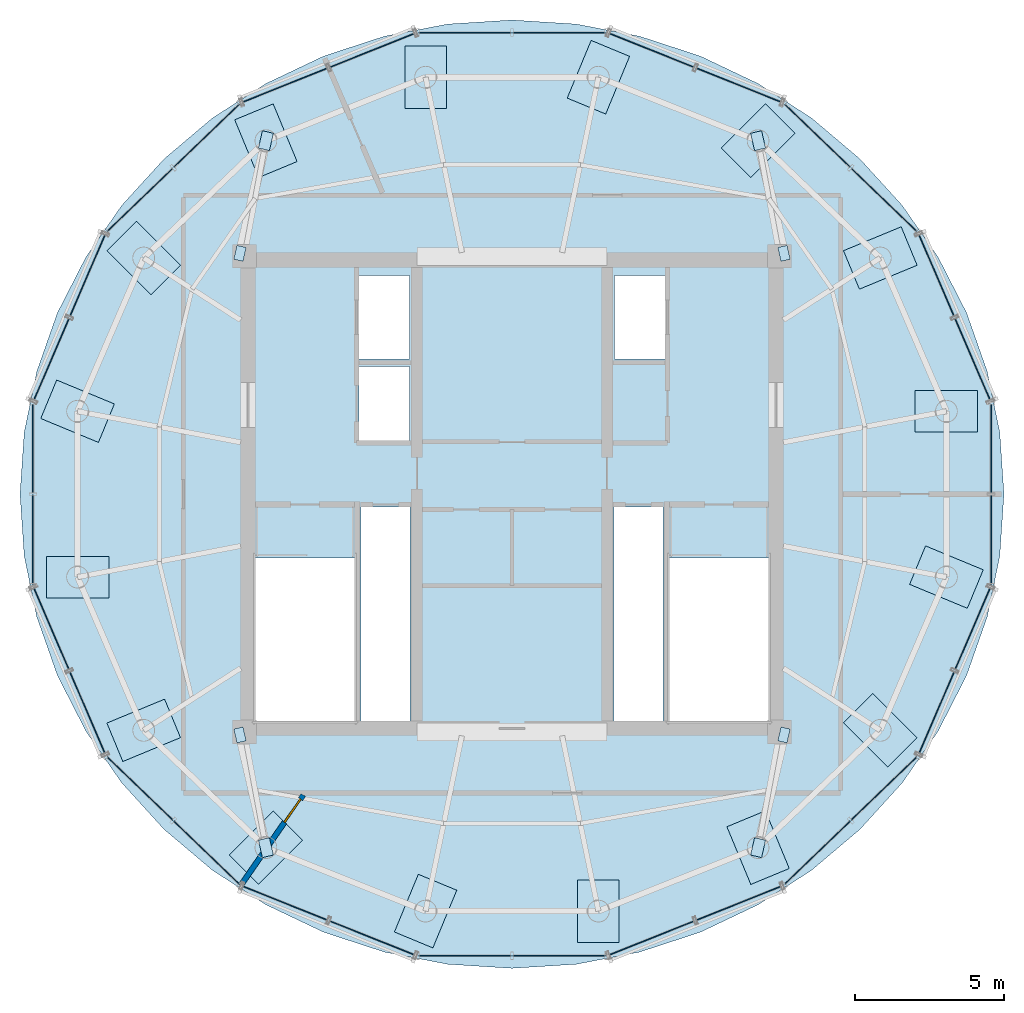
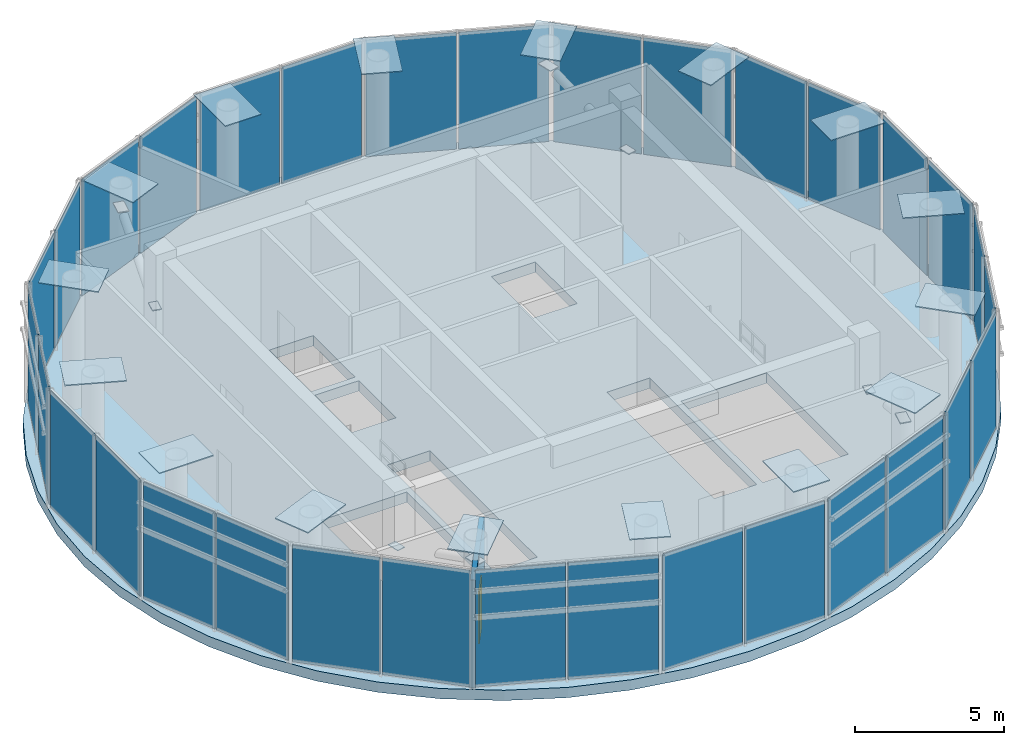
# One storey, part 10 of 13: 56 plates, 1 door, 1 slab, 1 wall, 1 opening, 16 elements without a shape of their own.
"""IFC4 building model written with IfcOpenShell, lengths in metres."""

from ifc_helpers import new_model, si_unit, direction, frame, frame_2d, origin, origin_2d, place, context, subcontext, project, spatial, polyline, rectangle, outline, extrude, source, transform, mapped, material, layer, layer_set, type_object, element, fill, aggregate, save


model = new_model("IFC4")

# Units and contexts
model_context = context("Model", 3, precision=1e-05, world=origin(), true_north=direction((-0.2419218956, 0.970295726276)))
body_context = subcontext(model_context, "Body", "Model", "MODEL_VIEW")
ifc_project = project(units=[si_unit("LENGTHUNIT", "METRE"), si_unit("AREAUNIT", "SQUARE_METRE"), si_unit("VOLUMEUNIT", "CUBIC_METRE"), si_unit("PLANEANGLEUNIT", "RADIAN"), si_unit("MASSUNIT", "GRAM", prefix="KILO")], contexts=[model_context])

# Site, building, storey
site_placement = place(None, origin())
site = spatial("IfcSite", under=ifc_project, at=site_placement, CompositionType="ELEMENT")
building_placement = place(site_placement, origin())
building = spatial("IfcBuilding", under=site, at=building_placement, Name="Cobrevalo Terracotta Tower", CompositionType="ELEMENT")
storey_placement = place(building_placement, frame((0.0, 0.0, 332.10009765625)))
storey = spatial("IfcBuildingStorey", under=building, at=storey_placement, Name="L85", CompositionType="ELEMENT", Elevation=332.10009765625)

# Slab
ifc_material_1 = material(Name="Concrete C50", Category="concrete")
ifc_layer_1 = layer(ifc_material_1, 0.419921875)
ifc_layer_set_1 = layer_set([ifc_layer_1], Name="Concrete C50")
slab_type = type_object("IfcSlabType", Name="Crown transfer mechanical deck 420 mm", PredefinedType="FLOOR", material=ifc_layer_set_1)
slab_placement = place(storey_placement, frame((0.0, 0.0, -0.420166015625)))
element("IfcSlab", 1, at=slab_placement, inside=storey, type_object=slab_type, Name="L85 indoor elliptical floor slab", PredefinedType="FLOOR", context=body_context, shape_type="SweptSolid", body=[
    extrude(outline(polyline([(54.408447265625, 24.718017578125), (53.986083984375, 22.671875), (53.290283203125, 20.6962890625), (52.332763671875, 18.824951171875), (51.1298828125, 17.09033203125), (49.70263671875, 15.521728515625), (48.074951171875, 14.14599609375), (46.27490234375, 12.98681640625), (44.33349609375, 12.064208984375), (42.283447265625, 11.3935546875), (40.16015625, 10.986328125), (38.0, 10.85009765625), (35.83984375, 10.986328125), (33.716552734375, 11.3935546875), (31.66650390625, 12.064208984375), (29.72509765625, 12.98681640625), (27.925048828125, 14.14599609375), (26.29736328125, 15.521728515625), (24.8701171875, 17.09033203125), (23.667236328125, 18.824951171875), (22.709716796875, 20.6962890625), (22.013916015625, 22.671875), (21.591552734375, 24.718017578125), (21.449951171875, 26.800048828125), (21.591552734375, 28.8818359375), (22.013916015625, 30.92822265625), (22.709716796875, 32.90380859375), (23.667236328125, 34.77490234375), (24.8701171875, 36.509765625), (26.29736328125, 38.078369140625), (27.925048828125, 39.4541015625), (29.72509765625, 40.613037109375), (31.66650390625, 41.535888671875), (33.716552734375, 42.20654296875), (35.83984375, 42.613525390625), (38.0, 42.75), (40.16015625, 42.613525390625), (42.283447265625, 42.20654296875), (44.33349609375, 41.535888671875), (46.27490234375, 40.613037109375), (48.074951171875, 39.4541015625), (49.70263671875, 38.078369140625), (51.1298828125, 36.509765625), (52.332763671875, 34.77490234375), (53.290283203125, 32.90380859375), (53.986083984375, 30.92822265625), (54.408447265625, 28.8818359375), (54.550048828125, 26.800048828125), (54.408447265625, 24.718017578125)]), holes=[polyline([(32.695068359375, 24.659912109375), (29.375, 24.659912109375), (29.375, 19.175048828125), (32.695068359375, 19.175048828125), (32.695068359375, 24.659912109375)]), polyline([(46.625, 19.175048828125), (46.625, 24.659912109375), (43.304931640625, 24.659912109375), (43.304931640625, 19.175048828125), (46.625, 19.175048828125)]), polyline([(34.574951171875, 26.360107421875), (32.919921875, 26.360107421875), (32.919921875, 19.175048828125), (34.574951171875, 19.175048828125), (34.574951171875, 26.360107421875)]), polyline([(43.080078125, 26.360107421875), (41.425048828125, 26.360107421875), (41.425048828125, 19.175048828125), (43.080078125, 19.175048828125), (43.080078125, 26.360107421875)]), polyline([(34.550048828125, 31.10009765625), (32.85009765625, 31.10009765625), (32.85009765625, 28.60009765625), (34.550048828125, 28.60009765625), (34.550048828125, 31.10009765625)]), polyline([(34.550048828125, 34.14990234375), (32.85009765625, 34.14990234375), (32.85009765625, 31.35009765625), (34.550048828125, 31.35009765625), (34.550048828125, 34.14990234375)]), polyline([(43.14990234375, 34.14990234375), (41.449951171875, 34.14990234375), (41.449951171875, 31.35009765625), (43.14990234375, 31.35009765625), (43.14990234375, 34.14990234375)])]), origin(), (0.0, 0.0, 1.0), 0.420166015625),
])

# Plates
ifc_material_2 = material(Name="Steel S355", Category="steel")
ifc_layer_2 = layer(ifc_material_2, 0.044921875)
ifc_layer_set_2 = layer_set([ifc_layer_2], Name="Steel S355")
plate_type_1 = type_object("IfcPlateType", Name="Structural Cap Plate 2100x1400x45 (Steel S355)", PredefinedType="USERDEFINED", material=ifc_layer_set_2)
shared_shape_1 = source(origin(), body_context, "Body", "SweptSolid", [
    extrude(rectangle(XDim=2.10009765625, YDim=1.39990234375, at=origin_2d()), origin(), (0.0, 0.0, 1.0), 0.044921875),
])
for number, where, z_axis, x_axis, name in (
    (2, (52.61376953125, 29.58984375, 5.177490234375), (0.0, 0.0, 1.0), (1.0, 0.0, 0.0), "L85 hollow end cap plate CAP-MCT-L85-01"),
    (3, (50.388916015625, 34.74462890625, 5.177490234375), (0.0, 0.0, 1.0), (0.923879532511, 0.382683432365, 0.0), "L85 hollow end cap plate CAP-MCT-L85-02"),
    (4, (46.278076171875, 38.68994140625, 5.177490234375), (0.0, 0.0, 1.0), (0.707106781187, 0.707106781187, 0.0), "L85 hollow end cap plate CAP-MCT-L85-03"),
    (5, (40.90673828125, 40.8251953125, 5.177490234375), (0.0, 0.0, 1.0), (0.382683432365, 0.923879532511, 0.0), "L85 hollow end cap plate CAP-MCT-L85-04"),
    (6, (35.09326171875, 40.8251953125, 5.177490234375), (0.0, 0.0, 1.0), (0.0, 1.0, 0.0), "L85 hollow end cap plate CAP-MCT-L85-05"),
    (7, (29.721923828125, 38.68994140625, 5.177490234375), (0.0, 0.0, 1.0), (-0.382683432365, 0.923879532511, 0.0), "L85 hollow end cap plate CAP-MCT-L85-06"),
    (8, (25.611083984375, 34.74462890625, 5.177490234375), (0.0, 0.0, 1.0), (-0.707106781187, 0.707106781187, 0.0), "L85 hollow end cap plate CAP-MCT-L85-07"),
    (9, (23.38623046875, 29.58984375, 5.177490234375), (0.0, 0.0, 1.0), (-0.923879532511, 0.382683432365, 0.0), "L85 hollow end cap plate CAP-MCT-L85-08"),
    (10, (23.38623046875, 24.01025390625, 5.177490234375), (0.0, 0.0, 1.0), (-1.0, 0.0, 0.0), "L85 hollow end cap plate CAP-MCT-L85-09"),
    (11, (25.611083984375, 18.855224609375, 5.177490234375), (0.0, 0.0, 1.0), (-0.923879532511, -0.382683432365, 0.0), "L85 hollow end cap plate CAP-MCT-L85-10"),
    (12, (29.721923828125, 14.909912109375, 5.177490234375), (0.0, 0.0, 1.0), (-0.707106781187, -0.707106781187, 0.0), "L85 hollow end cap plate CAP-MCT-L85-11"),
    (13, (35.09326171875, 12.774658203125, 5.177490234375), (0.0, 0.0, 1.0), (-0.382683432365, -0.923879532511, 0.0), "L85 hollow end cap plate CAP-MCT-L85-12"),
    (14, (40.90673828125, 12.774658203125, 5.177490234375), (0.0, 0.0, 1.0), (0.0, -1.0, 0.0), "L85 hollow end cap plate CAP-MCT-L85-13"),
    (15, (46.278076171875, 14.909912109375, 5.177490234375), (0.0, 0.0, 1.0), (0.382683432365, -0.923879532511, 0.0), "L85 hollow end cap plate CAP-MCT-L85-14"),
    (16, (50.388916015625, 18.855224609375, 5.177490234375), (0.0, 0.0, 1.0), (0.707106781187, -0.707106781187, 0.0), "L85 hollow end cap plate CAP-MCT-L85-15"),
    (17, (52.61376953125, 24.01025390625, 5.177490234375), (0.0, 0.0, 1.0), (0.923879532511, -0.382683432365, 0.0), "L85 hollow end cap plate CAP-MCT-L85-16"),
):
    element("IfcPlate", number, at=place(storey_placement, frame(where, z_axis=z_axis, x_axis=x_axis)), inside=storey, type_object=plate_type_1, Name=name, ObjectType="CAP PLATE", PredefinedType="USERDEFINED", context=body_context, shape_type="MappedRepresentation", body=[
        mapped(shared_shape_1, transform((0.0, 0.0, 0.0), scale=1.0)),
    ])
ifc_layer_3 = layer(ifc_material_2, 0.02490234375)
ifc_layer_set_3 = layer_set([ifc_layer_3], Name="Steel S355")
plate_type_2 = type_object("IfcPlateType", Name="Structural Cap Plate 480x320x25 (Steel S355)", PredefinedType="USERDEFINED", material=ifc_layer_set_3)
shared_shape_2 = source(origin(), body_context, "Body", "SweptSolid", [
    extrude(rectangle(XDim=0.47998046875, YDim=0.320068359375, at=origin_2d()), origin(), (0.0, 0.0, 1.0), 0.02490234375),
])
for number, where, z_axis, x_axis, name in (
    (18, (47.14990234375, 34.89990234375, 2.737548828125), (0.0, 0.0, 1.0), (-0.224221435425, 0.974538222902, 0.0), "L85 hollow end cap plate CAP-CRN0-L85-01"),
    (19, (28.85009765625, 34.89990234375, 2.737548828125), (0.0, 0.0, 1.0), (0.224221435425, 0.974538222902, 0.0), "L85 hollow end cap plate CAP-CRN0-L85-02"),
    (20, (28.85009765625, 18.699951171875, 2.737548828125), (0.0, 0.0, 1.0), (0.224221435425, -0.974538222902, 0.0), "L85 hollow end cap plate CAP-CRN0-L85-03"),
    (21, (47.14990234375, 18.699951171875, 2.737548828125), (0.0, 0.0, 1.0), (-0.224221435425, -0.974538222902, 0.0), "L85 hollow end cap plate CAP-CRN0-L85-04"),
):
    element("IfcPlate", number, at=place(storey_placement, frame(where, z_axis=z_axis, x_axis=x_axis)), inside=storey, type_object=plate_type_2, Name=name, ObjectType="CAP PLATE", PredefinedType="USERDEFINED", context=body_context, shape_type="MappedRepresentation", body=[
        mapped(shared_shape_2, transform((0.0, 0.0, 0.0), scale=1.0)),
    ])
ifc_layer_4 = layer(ifc_material_2, 0.028076171875)
ifc_layer_set_4 = layer_set([ifc_layer_4], Name="Steel S355")
plate_type_3 = type_object("IfcPlateType", Name="Structural Gusset Plate 600x380x28 (Steel S355)", PredefinedType="SHEET", material=ifc_layer_set_4)
shared_shape_3 = source(origin(), body_context, "Body", "SweptSolid", [
    extrude(rectangle(XDim=0.60009765625, YDim=0.3798828125, at=origin_2d()), origin(), (0.0, 0.0, 1.0), 0.028076171875),
])
for number, where, z_axis, x_axis, name in (
    (22, (46.278076171875, 38.68994140625, 4.18603515625), (0.0, 0.0, 1.0), (-0.224221435425, 0.974538222902, 0.0), "L85 hollow end cap plate GUS-CRN1-L85-01"),
    (23, (29.721923828125, 38.68994140625, 4.18603515625), (0.0, 0.0, 1.0), (0.224221435425, 0.974538222902, 0.0), "L85 hollow end cap plate GUS-CRN1-L85-02"),
    (24, (29.721923828125, 14.909912109375, 4.18603515625), (0.0, 0.0, 1.0), (0.224221435425, -0.974538222902, 0.0), "L85 hollow end cap plate GUS-CRN1-L85-03"),
    (25, (46.278076171875, 14.909912109375, 4.18603515625), (0.0, 0.0, 1.0), (-0.224221435425, -0.974538222902, 0.0), "L85 hollow end cap plate GUS-CRN1-L85-04"),
):
    element("IfcPlate", number, at=place(storey_placement, frame(where, z_axis=z_axis, x_axis=x_axis)), inside=storey, type_object=plate_type_3, Name=name, PredefinedType="SHEET", context=body_context, shape_type="MappedRepresentation", body=[
        mapped(shared_shape_3, transform((0.0, 0.0, 0.0), scale=1.0)),
    ])

# Curtain wall, plates
ifc_material_3 = material(Name="Anodized aluminium", Category="aluminium")
curtain_wall_type = type_object("IfcCurtainWallType", Name="Faceted glass-point crown structural glazing system CW-CR", PredefinedType="NOTDEFINED", material=ifc_material_3)
curtain_wall_1_placement = place(storey_placement, origin())
curtain_wall_1 = element("IfcCurtainWall", 26, at=curtain_wall_1_placement, inside=storey, type_object=curtain_wall_type, Name="L85 curtain wall CW-CRN-L85-S01", PredefinedType="NOTDEFINED")
ifc_material_4 = material(Name="Structural laminated low-iron crown glass", Category="glass")
ifc_layer_5 = layer(ifc_material_4, 0.035888671875)
ifc_layer_set_5 = layer_set([ifc_layer_5], Name="Structural laminated low-iron crown glass")
plate_type_4 = type_object("IfcPlateType", Name="Crown faceted low-iron laminated glass panel 36 mm", PredefinedType="CURTAIN_PANEL", material=ifc_layer_set_5)
shared_shape_4 = source(origin(), body_context, "Body", "SweptSolid", [
    extrude(rectangle(XDim=2.985595703125, YDim=0.035888671875, at=origin_2d()), origin(), (0.0, 0.0, 1.0), 4.77001953125),
])
plate_1_placement = place(storey_placement, frame((53.4931640625, 31.333251953125, 0.039794921875), z_axis=(0.0, 0.0, 1.0), x_axis=(-0.394960330504, 0.918698175316, 0.0)))
plate_1 = element("IfcPlate", 27, at=plate_1_placement, type_object=plate_type_4, Name="CW-CRN-L85-S01 glazing panel B01", PredefinedType="CURTAIN_PANEL", context=body_context, shape_type="MappedRepresentation", body=[
    mapped(shared_shape_4, transform((0.0, 0.0, 0.0), scale=1.0)),
])
plate_2_placement = place(storey_placement, frame((52.2822265625, 34.149658203125, 0.039794921875), z_axis=(0.0, 0.0, 1.0), x_axis=(-0.394960330504, 0.918698175316, 0.0)))
plate_2 = element("IfcPlate", 28, at=plate_2_placement, type_object=plate_type_4, Name="CW-CRN-L85-S01 glazing panel B02", PredefinedType="CURTAIN_PANEL", context=body_context, shape_type="MappedRepresentation", body=[
    mapped(shared_shape_4, transform((0.0, 0.0, 0.0), scale=1.0)),
])
aggregate(curtain_wall_1, [plate_1, plate_2])

curtain_wall_2_placement = place(storey_placement, origin())
curtain_wall_2 = element("IfcCurtainWall", 29, at=curtain_wall_2_placement, inside=storey, type_object=curtain_wall_type, Name="L85 curtain wall CW-CRN-L85-S07", PredefinedType="NOTDEFINED")
plate_3_placement = place(storey_placement, frame((23.7177734375, 34.149658203125, 0.039794921875), z_axis=(0.0, 0.0, 1.0), x_axis=(-0.394960330504, -0.918698175316, 0.0)))
plate_3 = element("IfcPlate", 30, at=plate_3_placement, type_object=plate_type_4, Name="CW-CRN-L85-S07 glazing panel B01", PredefinedType="CURTAIN_PANEL", context=body_context, shape_type="MappedRepresentation", body=[
    mapped(shared_shape_4, transform((0.0, 0.0, 0.0), scale=1.0)),
])
plate_4_placement = place(storey_placement, frame((22.5068359375, 31.333251953125, 0.039794921875), z_axis=(0.0, 0.0, 1.0), x_axis=(-0.394960330504, -0.918698175316, 0.0)))
plate_4 = element("IfcPlate", 31, at=plate_4_placement, type_object=plate_type_4, Name="CW-CRN-L85-S07 glazing panel B02", PredefinedType="CURTAIN_PANEL", context=body_context, shape_type="MappedRepresentation", body=[
    mapped(shared_shape_4, transform((0.0, 0.0, 0.0), scale=1.0)),
])
aggregate(curtain_wall_2, [plate_3, plate_4])

curtain_wall_3_placement = place(storey_placement, origin())
curtain_wall_3 = element("IfcCurtainWall", 32, at=curtain_wall_3_placement, inside=storey, type_object=curtain_wall_type, Name="L85 curtain wall CW-CRN-L85-S09", PredefinedType="NOTDEFINED")
plate_5_placement = place(storey_placement, frame((22.5068359375, 22.266845703125, 0.039794921875), z_axis=(0.0, 0.0, 1.0), x_axis=(0.394960330504, -0.918698175316, 0.0)))
plate_5 = element("IfcPlate", 33, at=plate_5_placement, type_object=plate_type_4, Name="CW-CRN-L85-S09 glazing panel B01", PredefinedType="CURTAIN_PANEL", context=body_context, shape_type="MappedRepresentation", body=[
    mapped(shared_shape_4, transform((0.0, 0.0, 0.0), scale=1.0)),
])
plate_6_placement = place(storey_placement, frame((23.7177734375, 19.4501953125, 0.039794921875), z_axis=(0.0, 0.0, 1.0), x_axis=(0.394960330504, -0.918698175316, 0.0)))
plate_6 = element("IfcPlate", 34, at=plate_6_placement, type_object=plate_type_4, Name="CW-CRN-L85-S09 glazing panel B02", PredefinedType="CURTAIN_PANEL", context=body_context, shape_type="MappedRepresentation", body=[
    mapped(shared_shape_4, transform((0.0, 0.0, 0.0), scale=1.0)),
])
aggregate(curtain_wall_3, [plate_5, plate_6])

curtain_wall_4_placement = place(storey_placement, origin())
curtain_wall_4 = element("IfcCurtainWall", 35, at=curtain_wall_4_placement, inside=storey, type_object=curtain_wall_type, Name="L85 curtain wall CW-CRN-L85-S15", PredefinedType="NOTDEFINED")
plate_7_placement = place(storey_placement, frame((52.2822265625, 19.4501953125, 0.039794921875), z_axis=(0.0, 0.0, 1.0), x_axis=(0.394960330504, 0.918698175316, 0.0)))
plate_7 = element("IfcPlate", 36, at=plate_7_placement, type_object=plate_type_4, Name="CW-CRN-L85-S15 glazing panel B01", PredefinedType="CURTAIN_PANEL", context=body_context, shape_type="MappedRepresentation", body=[
    mapped(shared_shape_4, transform((0.0, 0.0, 0.0), scale=1.0)),
])
plate_8_placement = place(storey_placement, frame((53.4931640625, 22.266845703125, 0.039794921875), z_axis=(0.0, 0.0, 1.0), x_axis=(0.394960330504, 0.918698175316, 0.0)))
plate_8 = element("IfcPlate", 37, at=plate_8_placement, type_object=plate_type_4, Name="CW-CRN-L85-S15 glazing panel B02", PredefinedType="CURTAIN_PANEL", context=body_context, shape_type="MappedRepresentation", body=[
    mapped(shared_shape_4, transform((0.0, 0.0, 0.0), scale=1.0)),
])
aggregate(curtain_wall_4, [plate_7, plate_8])

curtain_wall_5_placement = place(storey_placement, origin())
curtain_wall_5 = element("IfcCurtainWall", 38, at=curtain_wall_5_placement, inside=storey, type_object=curtain_wall_type, Name="L85 curtain wall CW-CRN-L85-S02", PredefinedType="NOTDEFINED")
shared_shape_5 = source(origin(), body_context, "Body", "SweptSolid", [
    extrude(rectangle(XDim=3.02734375, YDim=0.035888671875, at=origin_2d()), origin(), (0.0, 0.0, 1.0), 4.77001953125),
])
plate_9_placement = place(storey_placement, frame((50.513427734375, 36.700439453125, 0.039794921875), z_axis=(0.0, 0.0, 1.0), x_axis=(-0.72013345708, 0.693835574178, 0.0)))
plate_9 = element("IfcPlate", 39, at=plate_9_placement, type_object=plate_type_4, Name="CW-CRN-L85-S02 glazing panel B01", PredefinedType="CURTAIN_PANEL", context=body_context, shape_type="MappedRepresentation", body=[
    mapped(shared_shape_5, transform((0.0, 0.0, 0.0), scale=1.0)),
])
plate_10_placement = place(storey_placement, frame((48.275634765625, 38.8564453125, 0.039794921875), z_axis=(0.0, 0.0, 1.0), x_axis=(-0.72013345708, 0.693835574178, 0.0)))
plate_10 = element("IfcPlate", 40, at=plate_10_placement, type_object=plate_type_4, Name="CW-CRN-L85-S02 glazing panel B02", PredefinedType="CURTAIN_PANEL", context=body_context, shape_type="MappedRepresentation", body=[
    mapped(shared_shape_5, transform((0.0, 0.0, 0.0), scale=1.0)),
])
aggregate(curtain_wall_5, [plate_9, plate_10])

curtain_wall_6_placement = place(storey_placement, origin())
curtain_wall_6 = element("IfcCurtainWall", 41, at=curtain_wall_6_placement, inside=storey, type_object=curtain_wall_type, Name="L85 curtain wall CW-CRN-L85-S06", PredefinedType="NOTDEFINED")
plate_11_placement = place(storey_placement, frame((27.724365234375, 38.8564453125, 0.039794921875), z_axis=(0.0, 0.0, 1.0), x_axis=(-0.72013345708, -0.693835574178, 0.0)))
plate_11 = element("IfcPlate", 42, at=plate_11_placement, type_object=plate_type_4, Name="CW-CRN-L85-S06 glazing panel B01", PredefinedType="CURTAIN_PANEL", context=body_context, shape_type="MappedRepresentation", body=[
    mapped(shared_shape_5, transform((0.0, 0.0, 0.0), scale=1.0)),
])
plate_12_placement = place(storey_placement, frame((25.486572265625, 36.700439453125, 0.039794921875), z_axis=(0.0, 0.0, 1.0), x_axis=(-0.72013345708, -0.693835574178, 0.0)))
plate_12 = element("IfcPlate", 43, at=plate_12_placement, type_object=plate_type_4, Name="CW-CRN-L85-S06 glazing panel B02", PredefinedType="CURTAIN_PANEL", context=body_context, shape_type="MappedRepresentation", body=[
    mapped(shared_shape_5, transform((0.0, 0.0, 0.0), scale=1.0)),
])
aggregate(curtain_wall_6, [plate_11, plate_12])

curtain_wall_7_placement = place(storey_placement, origin())
curtain_wall_7 = element("IfcCurtainWall", 44, at=curtain_wall_7_placement, inside=storey, type_object=curtain_wall_type, Name="L85 curtain wall CW-CRN-L85-S10", PredefinedType="NOTDEFINED")
plate_13_placement = place(storey_placement, frame((25.486572265625, 16.899658203125, 0.039794921875), z_axis=(0.0, 0.0, 1.0), x_axis=(0.72013345708, -0.693835574178, 0.0)))
plate_13 = element("IfcPlate", 45, at=plate_13_placement, type_object=plate_type_4, Name="CW-CRN-L85-S10 glazing panel B01", PredefinedType="CURTAIN_PANEL", context=body_context, shape_type="MappedRepresentation", body=[
    mapped(shared_shape_5, transform((0.0, 0.0, 0.0), scale=1.0)),
])
plate_14_placement = place(storey_placement, frame((27.724365234375, 14.74365234375, 0.039794921875), z_axis=(0.0, 0.0, 1.0), x_axis=(0.72013345708, -0.693835574178, 0.0)))
plate_14 = element("IfcPlate", 46, at=plate_14_placement, type_object=plate_type_4, Name="CW-CRN-L85-S10 glazing panel B02", PredefinedType="CURTAIN_PANEL", context=body_context, shape_type="MappedRepresentation", body=[
    mapped(shared_shape_5, transform((0.0, 0.0, 0.0), scale=1.0)),
])
aggregate(curtain_wall_7, [plate_13, plate_14])

curtain_wall_8_placement = place(storey_placement, origin())
curtain_wall_8 = element("IfcCurtainWall", 47, at=curtain_wall_8_placement, inside=storey, type_object=curtain_wall_type, Name="L85 curtain wall CW-CRN-L85-S14", PredefinedType="NOTDEFINED")
plate_15_placement = place(storey_placement, frame((48.275634765625, 14.74365234375, 0.039794921875), z_axis=(0.0, 0.0, 1.0), x_axis=(0.72013345708, 0.693835574178, 0.0)))
plate_15 = element("IfcPlate", 48, at=plate_15_placement, type_object=plate_type_4, Name="CW-CRN-L85-S14 glazing panel B01", PredefinedType="CURTAIN_PANEL", context=body_context, shape_type="MappedRepresentation", body=[
    mapped(shared_shape_5, transform((0.0, 0.0, 0.0), scale=1.0)),
])
plate_16_placement = place(storey_placement, frame((50.513427734375, 16.899658203125, 0.039794921875), z_axis=(0.0, 0.0, 1.0), x_axis=(0.72013345708, 0.693835574178, 0.0)))
plate_16 = element("IfcPlate", 49, at=plate_16_placement, type_object=plate_type_4, Name="CW-CRN-L85-S14 glazing panel B02", PredefinedType="CURTAIN_PANEL", context=body_context, shape_type="MappedRepresentation", body=[
    mapped(shared_shape_5, transform((0.0, 0.0, 0.0), scale=1.0)),
])
aggregate(curtain_wall_8, [plate_15, plate_16])

curtain_wall_9_placement = place(storey_placement, origin())
curtain_wall_9 = element("IfcCurtainWall", 50, at=curtain_wall_9_placement, inside=storey, type_object=curtain_wall_type, Name="L85 curtain wall CW-CRN-L85-S03", PredefinedType="NOTDEFINED")
shared_shape_6 = source(origin(), body_context, "Body", "SweptSolid", [
    extrude(rectangle(XDim=3.068603515625, YDim=0.035888671875, at=origin_2d()), origin(), (0.0, 0.0, 1.0), 4.77001953125),
])
plate_17_placement = place(storey_placement, frame((45.628662109375, 40.560546875, 0.039794921875), z_axis=(0.0, 0.0, 1.0), x_axis=(-0.928768802339, 0.370659563214, 0.0)))
plate_17 = element("IfcPlate", 51, at=plate_17_placement, type_object=plate_type_4, Name="CW-CRN-L85-S03 glazing panel B01", PredefinedType="CURTAIN_PANEL", context=body_context, shape_type="MappedRepresentation", body=[
    mapped(shared_shape_6, transform((0.0, 0.0, 0.0), scale=1.0)),
])
plate_18_placement = place(storey_placement, frame((42.70458984375, 41.7275390625, 0.039794921875), z_axis=(0.0, 0.0, 1.0), x_axis=(-0.928768802339, 0.370659563214, 0.0)))
plate_18 = element("IfcPlate", 52, at=plate_18_placement, type_object=plate_type_4, Name="CW-CRN-L85-S03 glazing panel B02", PredefinedType="CURTAIN_PANEL", context=body_context, shape_type="MappedRepresentation", body=[
    mapped(shared_shape_6, transform((0.0, 0.0, 0.0), scale=1.0)),
])
aggregate(curtain_wall_9, [plate_17, plate_18])

curtain_wall_10_placement = place(storey_placement, origin())
curtain_wall_10 = element("IfcCurtainWall", 53, at=curtain_wall_10_placement, inside=storey, type_object=curtain_wall_type, Name="L85 curtain wall CW-CRN-L85-S05", PredefinedType="NOTDEFINED")
plate_19_placement = place(storey_placement, frame((33.29541015625, 41.7275390625, 0.039794921875), z_axis=(0.0, 0.0, 1.0), x_axis=(-0.928768802339, -0.370659563214, 0.0)))
plate_19 = element("IfcPlate", 54, at=plate_19_placement, type_object=plate_type_4, Name="CW-CRN-L85-S05 glazing panel B01", PredefinedType="CURTAIN_PANEL", context=body_context, shape_type="MappedRepresentation", body=[
    mapped(shared_shape_6, transform((0.0, 0.0, 0.0), scale=1.0)),
])
plate_20_placement = place(storey_placement, frame((30.371337890625, 40.560546875, 0.039794921875), z_axis=(0.0, 0.0, 1.0), x_axis=(-0.928768802339, -0.370659563214, 0.0)))
plate_20 = element("IfcPlate", 55, at=plate_20_placement, type_object=plate_type_4, Name="CW-CRN-L85-S05 glazing panel B02", PredefinedType="CURTAIN_PANEL", context=body_context, shape_type="MappedRepresentation", body=[
    mapped(shared_shape_6, transform((0.0, 0.0, 0.0), scale=1.0)),
])
aggregate(curtain_wall_10, [plate_19, plate_20])

curtain_wall_11_placement = place(storey_placement, origin())
curtain_wall_11 = element("IfcCurtainWall", 56, at=curtain_wall_11_placement, inside=storey, type_object=curtain_wall_type, Name="L85 curtain wall CW-CRN-L85-S11", PredefinedType="NOTDEFINED")
plate_21_placement = place(storey_placement, frame((30.371337890625, 13.03955078125, 0.039794921875), z_axis=(0.0, 0.0, 1.0), x_axis=(0.928768802339, -0.370659563214, 0.0)))
plate_21 = element("IfcPlate", 57, at=plate_21_placement, type_object=plate_type_4, Name="CW-CRN-L85-S11 glazing panel B01", PredefinedType="CURTAIN_PANEL", context=body_context, shape_type="MappedRepresentation", body=[
    mapped(shared_shape_6, transform((0.0, 0.0, 0.0), scale=1.0)),
])
plate_22_placement = place(storey_placement, frame((33.29541015625, 11.87255859375, 0.039794921875), z_axis=(0.0, 0.0, 1.0), x_axis=(0.928768802339, -0.370659563214, 0.0)))
plate_22 = element("IfcPlate", 58, at=plate_22_placement, type_object=plate_type_4, Name="CW-CRN-L85-S11 glazing panel B02", PredefinedType="CURTAIN_PANEL", context=body_context, shape_type="MappedRepresentation", body=[
    mapped(shared_shape_6, transform((0.0, 0.0, 0.0), scale=1.0)),
])
aggregate(curtain_wall_11, [plate_21, plate_22])

curtain_wall_12_placement = place(storey_placement, origin())
curtain_wall_12 = element("IfcCurtainWall", 59, at=curtain_wall_12_placement, inside=storey, type_object=curtain_wall_type, Name="L85 curtain wall CW-CRN-L85-S13", PredefinedType="NOTDEFINED")
plate_23_placement = place(storey_placement, frame((42.70458984375, 11.87255859375, 0.039794921875), z_axis=(0.0, 0.0, 1.0), x_axis=(0.928768802339, 0.370659563214, 0.0)))
plate_23 = element("IfcPlate", 60, at=plate_23_placement, type_object=plate_type_4, Name="CW-CRN-L85-S13 glazing panel B01", PredefinedType="CURTAIN_PANEL", context=body_context, shape_type="MappedRepresentation", body=[
    mapped(shared_shape_6, transform((0.0, 0.0, 0.0), scale=1.0)),
])
plate_24_placement = place(storey_placement, frame((45.628662109375, 13.03955078125, 0.039794921875), z_axis=(0.0, 0.0, 1.0), x_axis=(0.928768802339, 0.370659563214, 0.0)))
plate_24 = element("IfcPlate", 61, at=plate_24_placement, type_object=plate_type_4, Name="CW-CRN-L85-S13 glazing panel B02", PredefinedType="CURTAIN_PANEL", context=body_context, shape_type="MappedRepresentation", body=[
    mapped(shared_shape_6, transform((0.0, 0.0, 0.0), scale=1.0)),
])
aggregate(curtain_wall_12, [plate_23, plate_24])

curtain_wall_13_placement = place(storey_placement, origin())
curtain_wall_13 = element("IfcCurtainWall", 62, at=curtain_wall_13_placement, inside=storey, type_object=curtain_wall_type, Name="L85 curtain wall CW-CRN-L85-S04", PredefinedType="NOTDEFINED")
shared_shape_7 = source(origin(), body_context, "Body", "SweptSolid", [
    extrude(rectangle(XDim=3.085205078125, YDim=0.035888671875, at=origin_2d()), origin(), (0.0, 0.0, 1.0), 4.77001953125),
])
plate_25_placement = place(storey_placement, frame((39.582763671875, 42.325927734375, 0.039794921875), z_axis=(0.0, 0.0, 1.0), x_axis=(-1.0, 0.0, 0.0)))
plate_25 = element("IfcPlate", 63, at=plate_25_placement, type_object=plate_type_4, Name="CW-CRN-L85-S04 glazing panel B01", PredefinedType="CURTAIN_PANEL", context=body_context, shape_type="MappedRepresentation", body=[
    mapped(shared_shape_7, transform((0.0, 0.0, 0.0), scale=1.0)),
])
plate_26_placement = place(storey_placement, frame((36.417236328125, 42.325927734375, 0.039794921875), z_axis=(0.0, 0.0, 1.0), x_axis=(-1.0, 0.0, 0.0)))
plate_26 = element("IfcPlate", 64, at=plate_26_placement, type_object=plate_type_4, Name="CW-CRN-L85-S04 glazing panel B02", PredefinedType="CURTAIN_PANEL", context=body_context, shape_type="MappedRepresentation", body=[
    mapped(shared_shape_7, transform((0.0, 0.0, 0.0), scale=1.0)),
])
aggregate(curtain_wall_13, [plate_25, plate_26])

curtain_wall_14_placement = place(storey_placement, origin())
curtain_wall_14 = element("IfcCurtainWall", 65, at=curtain_wall_14_placement, inside=storey, type_object=curtain_wall_type, Name="L85 curtain wall CW-CRN-L85-S12", PredefinedType="NOTDEFINED")
plate_27_placement = place(storey_placement, frame((36.417236328125, 11.274169921875, 0.039794921875), z_axis=(0.0, 0.0, 1.0), x_axis=(1.0, 0.0, 0.0)))
plate_27 = element("IfcPlate", 66, at=plate_27_placement, type_object=plate_type_4, Name="CW-CRN-L85-S12 glazing panel B01", PredefinedType="CURTAIN_PANEL", context=body_context, shape_type="MappedRepresentation", body=[
    mapped(shared_shape_7, transform((0.0, 0.0, 0.0), scale=1.0)),
])
plate_28_placement = place(storey_placement, frame((39.582763671875, 11.274169921875, 0.039794921875), z_axis=(0.0, 0.0, 1.0), x_axis=(1.0, 0.0, 0.0)))
plate_28 = element("IfcPlate", 67, at=plate_28_placement, type_object=plate_type_4, Name="CW-CRN-L85-S12 glazing panel B02", PredefinedType="CURTAIN_PANEL", context=body_context, shape_type="MappedRepresentation", body=[
    mapped(shared_shape_7, transform((0.0, 0.0, 0.0), scale=1.0)),
])
aggregate(curtain_wall_14, [plate_27, plate_28])

curtain_wall_15_placement = place(storey_placement, origin())
curtain_wall_15 = element("IfcCurtainWall", 68, at=curtain_wall_15_placement, inside=storey, type_object=curtain_wall_type, Name="L85 curtain wall CW-CRN-L85-S08", PredefinedType="NOTDEFINED")
shared_shape_8 = source(origin(), body_context, "Body", "SweptSolid", [
    extrude(rectangle(XDim=2.96826171875, YDim=0.035888671875, at=origin_2d()), origin(), (0.0, 0.0, 1.0), 4.77001953125),
])
plate_29_placement = place(storey_placement, frame((21.8857421875, 28.32421875, 0.039794921875), z_axis=(0.0, 0.0, 1.0), x_axis=(0.0, -1.0, 0.0)))
plate_29 = element("IfcPlate", 69, at=plate_29_placement, type_object=plate_type_4, Name="CW-CRN-L85-S08 glazing panel B01", PredefinedType="CURTAIN_PANEL", context=body_context, shape_type="MappedRepresentation", body=[
    mapped(shared_shape_8, transform((0.0, 0.0, 0.0), scale=1.0)),
])
plate_30_placement = place(storey_placement, frame((21.8857421875, 25.27587890625, 0.039794921875), z_axis=(0.0, 0.0, 1.0), x_axis=(0.0, -1.0, 0.0)))
plate_30 = element("IfcPlate", 70, at=plate_30_placement, type_object=plate_type_4, Name="CW-CRN-L85-S08 glazing panel B02", PredefinedType="CURTAIN_PANEL", context=body_context, shape_type="MappedRepresentation", body=[
    mapped(shared_shape_8, transform((0.0, 0.0, 0.0), scale=1.0)),
])
aggregate(curtain_wall_15, [plate_29, plate_30])

curtain_wall_16_placement = place(storey_placement, origin())
curtain_wall_16 = element("IfcCurtainWall", 71, at=curtain_wall_16_placement, inside=storey, type_object=curtain_wall_type, Name="L85 curtain wall CW-CRN-L85-S16", PredefinedType="NOTDEFINED")
plate_31_placement = place(storey_placement, frame((54.1142578125, 25.27587890625, 0.039794921875), z_axis=(0.0, 0.0, 1.0), x_axis=(0.0, 1.0, 0.0)))
plate_31 = element("IfcPlate", 72, at=plate_31_placement, type_object=plate_type_4, Name="CW-CRN-L85-S16 glazing panel B01", PredefinedType="CURTAIN_PANEL", context=body_context, shape_type="MappedRepresentation", body=[
    mapped(shared_shape_8, transform((0.0, 0.0, 0.0), scale=1.0)),
])
plate_32_placement = place(storey_placement, frame((54.1142578125, 28.32421875, 0.039794921875), z_axis=(0.0, 0.0, 1.0), x_axis=(0.0, 1.0, 0.0)))
plate_32 = element("IfcPlate", 73, at=plate_32_placement, type_object=plate_type_4, Name="CW-CRN-L85-S16 glazing panel B02", PredefinedType="CURTAIN_PANEL", context=body_context, shape_type="MappedRepresentation", body=[
    mapped(shared_shape_8, transform((0.0, 0.0, 0.0), scale=1.0)),
])
aggregate(curtain_wall_16, [plate_31, plate_32])

# Wall, opening, door
ifc_material_5 = material(Name="Gypsum board on steel stud", Category="steel")
ifc_layer_6 = layer(ifc_material_5, 0.179931640625)
ifc_layer_set_6 = layer_set([ifc_layer_6], Name="Gypsum board on steel stud")
wall_type = type_object("IfcWallType", Name="Fire-rated shaft & lobby acoustic partition wall 180 mm", PredefinedType="PARTITIONING", material=ifc_layer_set_6)
wall_placement = place(storey_placement, frame((30.9794921875, 16.674072265625, 0.0), z_axis=(0.0, 0.0, 1.0), x_axis=(-0.569738046405, -0.82182635543, 0.0)))
wall = element("IfcWall", 74, at=wall_placement, inside=storey, type_object=wall_type, Name="L85 interior partition IW-L85-CW3", PredefinedType="PARTITIONING", context=body_context, shape_type="SweptSolid", body=[
    extrude(rectangle(XDim=3.701416015625, YDim=0.179931640625, at=frame_2d((1.8505859375, 0.0))), origin(), (0.0, 0.0, 1.0), 4.421875),
])
opening_placement = place(wall_placement, frame((0.159912109375, 0.0, 0.0)))
opening = element("IfcOpeningElement", 75, at=opening_placement, cuts=wall, Name="Opening ID-04", PredefinedType="OPENING", context=body_context, shape_type="SweptSolid", body=[
    extrude(rectangle(XDim=0.949951171875, YDim=2.14990234375, at=frame_2d((0.47509765625, 1.074951171875))), frame((0.0, 0.10009765625, 0.0), z_axis=(0.0, -1.0, 0.0), x_axis=(1.0, 0.0, 0.0)), (0.0, 0.0, 1.0), 0.199951171875),
])
ifc_material_6 = material(Name="Galvanized fire-rated steel", Category="steel")
door_type = type_object("IfcDoorType", Name="Stair & firefighting lobby fire door 950x2150 EI 90", OperationType="NOTDEFINED", PredefinedType="DOOR", material=ifc_material_6)
shared_shape_9 = source(origin(), body_context, "Body", "SweptSolid", [
    extrude(rectangle(XDim=0.949951171875, YDim=2.14990234375, at=frame_2d((0.47509765625, 1.074951171875))), frame((0.0, 0.02490234375, 0.0), z_axis=(0.0, -1.0, 0.0), x_axis=(1.0, 0.0, 0.0)), (0.0, 0.0, 1.0), 0.050048828125),
])
door_placement = place(opening_placement, origin())
door = element("IfcDoor", 76, at=door_placement, inside=storey, type_object=door_type, Name="L85 crown plant interconnecting fire door 3", OperationType="SINGLE_SWING_LEFT", OverallHeight=2.14990234375, OverallWidth=0.949951171875, PredefinedType="DOOR", context=body_context, shape_type="MappedRepresentation", body=[
    mapped(shared_shape_9, transform((0.0, 0.0, 0.0), scale=1.0)),
])
fill(opening, door)

save(model, "model.ifc")
